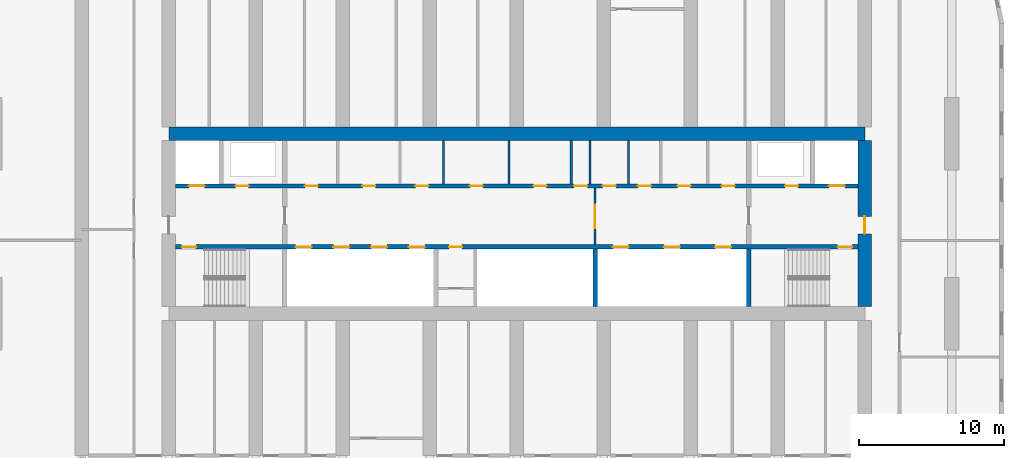
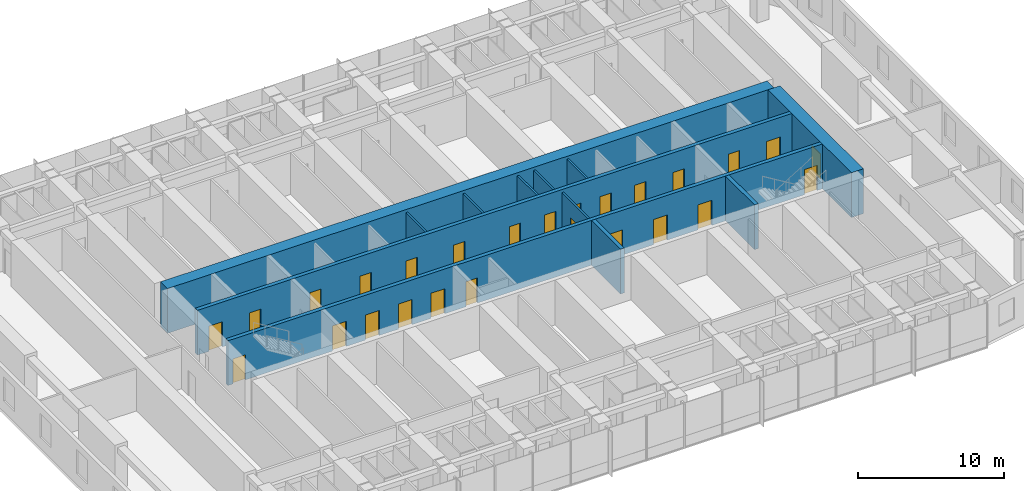
# One storey, part 12 of 22: 26 doors, 12 walls, 26 openings.
"""IFC4 building model written with IfcOpenShell, lengths in metres."""

from ifc_helpers import new_model, si_unit, direction, frame, frame_2d, origin, place, context, subcontext, project, spatial, rectangle, extrude, material, layer, layer_set, type_object, element, fill, save


model = new_model("IFC4")

# Units and contexts
model_context = context("Model", 3, precision=1e-05, world=origin(), true_north=direction((0.0, 1.0)))
body_context = subcontext(model_context, "Body", "Model", "MODEL_VIEW")
ifc_project = project(units=[si_unit("LENGTHUNIT", "METRE"), si_unit("AREAUNIT", "SQUARE_METRE"), si_unit("VOLUMEUNIT", "CUBIC_METRE"), si_unit("PLANEANGLEUNIT", "RADIAN"), si_unit("MASSUNIT", "GRAM", prefix="KILO")], contexts=[model_context])

# Site, building, storey
site_placement = place(None, origin())
site = spatial("IfcSite", under=ifc_project, at=site_placement, CompositionType="ELEMENT")
building_placement = place(site_placement, origin())
building = spatial("IfcBuilding", under=site, at=building_placement, Name="Orbita Commons", CompositionType="ELEMENT")
storey_placement = place(building_placement, frame((0.0, 0.0, 121.89990234375)))
storey = spatial("IfcBuildingStorey", under=building, at=storey_placement, Name="L30", CompositionType="ELEMENT", Elevation=121.89990234375)

# Wall, openings, doors
ifc_material_1 = material(Name="Concrete C50/60", Category="concrete")
ifc_layer_1 = layer(ifc_material_1, 0.300048828125)
ifc_layer_set_1 = layer_set([ifc_layer_1], Name="Concrete C50/60")
wall_type_1 = type_object("IfcWallType", Name="Core inner wall 300 C50/60", PredefinedType="SHEAR", material=ifc_layer_set_1)
wall_1_placement = place(storey_placement, frame((18.47509765625, 30.39990234375, 0.0), z_axis=(0.0, 0.0, 1.0), x_axis=(1.0, 0.0, 0.0)))
wall_1 = element("IfcWall", 1, at=wall_1_placement, inside=storey, type_object=wall_type_1, Name="Lobby wall south L30", PredefinedType="SHEAR", context=body_context, shape_type="SweptSolid", body=[
    extrude(rectangle(XDim=47.0498046875, YDim=0.300048828125, at=frame_2d((23.52490234375, 0.0))), origin(), (0.0, 0.0, 1.0), 3.75),
])
opening_1_placement = place(wall_1_placement, frame((0.39990234375, 0.0, 0.0)))
opening_1 = element("IfcOpeningElement", 2, at=opening_1_placement, cuts=wall_1, Name="Opening D02", PredefinedType="OPENING", context=body_context, shape_type="SweptSolid", body=[
    extrude(rectangle(XDim=1.0, YDim=2.10009765625, at=frame_2d((0.5, 1.050048828125))), frame((0.0, 0.159912109375, 0.0), z_axis=(0.0, -1.0, 0.0), x_axis=(1.0, 0.0, 0.0)), (0.0, 0.0, 1.0), 0.320068359375),
])
opening_2_placement = place(wall_1_placement, frame((45.64990234375, 0.0, 0.0)))
opening_2 = element("IfcOpeningElement", 3, at=opening_2_placement, cuts=wall_1, Name="Opening D02", PredefinedType="OPENING", context=body_context, shape_type="SweptSolid", body=[
    extrude(rectangle(XDim=1.0, YDim=2.10009765625, at=frame_2d((0.5, 1.050048828125))), frame((0.0, 0.159912109375, 0.0), z_axis=(0.0, -1.0, 0.0), x_axis=(1.0, 0.0, 0.0)), (0.0, 0.0, 1.0), 0.320068359375),
])
opening_3_placement = place(wall_1_placement, frame((8.27490234375, 0.0, 0.0)))
opening_3 = element("IfcOpeningElement", 4, at=opening_3_placement, cuts=wall_1, Name="Opening LD02", PredefinedType="OPENING", context=body_context, shape_type="SweptSolid", body=[
    extrude(rectangle(XDim=1.10009765625, YDim=2.10009765625, at=frame_2d((0.550048828125, 1.050048828125))), frame((0.0, 0.159912109375, 0.0), z_axis=(0.0, -1.0, 0.0), x_axis=(1.0, 0.0, 0.0)), (0.0, 0.0, 1.0), 0.320068359375),
])
opening_4_placement = place(wall_1_placement, frame((10.875, 0.0, 0.0)))
opening_4 = element("IfcOpeningElement", 5, at=opening_4_placement, cuts=wall_1, Name="Opening LD02", PredefinedType="OPENING", context=body_context, shape_type="SweptSolid", body=[
    extrude(rectangle(XDim=1.10009765625, YDim=2.10009765625, at=frame_2d((0.550048828125, 1.050048828125))), frame((0.0, 0.159912109375, 0.0), z_axis=(0.0, -1.0, 0.0), x_axis=(1.0, 0.0, 0.0)), (0.0, 0.0, 1.0), 0.320068359375),
])
opening_5_placement = place(wall_1_placement, frame((13.47509765625, 0.0, 0.0)))
opening_5 = element("IfcOpeningElement", 6, at=opening_5_placement, cuts=wall_1, Name="Opening LD02", PredefinedType="OPENING", context=body_context, shape_type="SweptSolid", body=[
    extrude(rectangle(XDim=1.10009765625, YDim=2.10009765625, at=frame_2d((0.550048828125, 1.050048828125))), frame((0.0, 0.159912109375, 0.0), z_axis=(0.0, -1.0, 0.0), x_axis=(1.0, 0.0, 0.0)), (0.0, 0.0, 1.0), 0.320068359375),
])
opening_6_placement = place(wall_1_placement, frame((16.074951171875, 0.0, 0.0)))
opening_6 = element("IfcOpeningElement", 7, at=opening_6_placement, cuts=wall_1, Name="Opening LD02", PredefinedType="OPENING", context=body_context, shape_type="SweptSolid", body=[
    extrude(rectangle(XDim=1.10009765625, YDim=2.10009765625, at=frame_2d((0.550048828125, 1.050048828125))), frame((0.0, 0.159912109375, 0.0), z_axis=(0.0, -1.0, 0.0), x_axis=(1.0, 0.0, 0.0)), (0.0, 0.0, 1.0), 0.320068359375),
])
opening_7_placement = place(wall_1_placement, frame((18.85009765625, 0.0, 0.0)))
opening_7 = element("IfcOpeningElement", 8, at=opening_7_placement, cuts=wall_1, Name="Opening D05", PredefinedType="OPENING", context=body_context, shape_type="SweptSolid", body=[
    extrude(rectangle(XDim=0.89990234375, YDim=2.10009765625, at=frame_2d((0.449951171875, 1.050048828125))), frame((0.0, 0.159912109375, 0.0), z_axis=(0.0, -1.0, 0.0), x_axis=(1.0, 0.0, 0.0)), (0.0, 0.0, 1.0), 0.320068359375),
])
opening_8_placement = place(wall_1_placement, frame((30.1416015625, 0.0, 0.0)))
opening_8 = element("IfcOpeningElement", 9, at=opening_8_placement, cuts=wall_1, Name="Opening LD02", PredefinedType="OPENING", context=body_context, shape_type="SweptSolid", body=[
    extrude(rectangle(XDim=1.10009765625, YDim=2.10009765625, at=frame_2d((0.550048828125, 1.050048828125))), frame((0.0, 0.159912109375, 0.0), z_axis=(0.0, -1.0, 0.0), x_axis=(1.0, 0.0, 0.0)), (0.0, 0.0, 1.0), 0.320068359375),
])
opening_9_placement = place(wall_1_placement, frame((33.675048828125, 0.0, 0.0)))
opening_9 = element("IfcOpeningElement", 10, at=opening_9_placement, cuts=wall_1, Name="Opening LD02", PredefinedType="OPENING", context=body_context, shape_type="SweptSolid", body=[
    extrude(rectangle(XDim=1.10009765625, YDim=2.10009765625, at=frame_2d((0.550048828125, 1.050048828125))), frame((0.0, 0.159912109375, 0.0), z_axis=(0.0, -1.0, 0.0), x_axis=(1.0, 0.0, 0.0)), (0.0, 0.0, 1.0), 0.320068359375),
])
opening_10_placement = place(wall_1_placement, frame((37.208251953125, 0.0, 0.0)))
opening_10 = element("IfcOpeningElement", 11, at=opening_10_placement, cuts=wall_1, Name="Opening LD02", PredefinedType="OPENING", context=body_context, shape_type="SweptSolid", body=[
    extrude(rectangle(XDim=1.10009765625, YDim=2.10009765625, at=frame_2d((0.550048828125, 1.050048828125))), frame((0.0, 0.159912109375, 0.0), z_axis=(0.0, -1.0, 0.0), x_axis=(1.0, 0.0, 0.0)), (0.0, 0.0, 1.0), 0.320068359375),
])
ifc_material_2 = material(Name="Steel-faced fire door leaf", Category="steel")
door_type_1 = type_object("IfcDoorType", Name="Fire door 90 min 1000x2100", OperationType="SINGLE_SWING_LEFT", PredefinedType="DOOR", material=ifc_material_2)
door_1_placement = place(opening_1_placement, origin())
door_1 = element("IfcDoor", 12, at=door_1_placement, inside=storey, type_object=door_type_1, Name="Stair S1 door", OperationType="SINGLE_SWING_LEFT", OverallHeight=2.10009765625, OverallWidth=1.0, PredefinedType="DOOR", context=body_context, shape_type="SweptSolid", body=[
    extrude(rectangle(XDim=1.0, YDim=2.10009765625, at=frame_2d((0.5, 1.050048828125))), frame((0.0, 0.02490234375, 0.0), z_axis=(0.0, -1.0, 0.0), x_axis=(1.0, 0.0, 0.0)), (0.0, 0.0, 1.0), 0.050048828125),
])
fill(opening_1, door_1)
door_2_placement = place(opening_2_placement, origin())
door_2 = element("IfcDoor", 13, at=door_2_placement, inside=storey, type_object=door_type_1, Name="Stair S2 door", OperationType="SINGLE_SWING_LEFT", OverallHeight=2.10009765625, OverallWidth=1.0, PredefinedType="DOOR", context=body_context, shape_type="SweptSolid", body=[
    extrude(rectangle(XDim=1.0, YDim=2.10009765625, at=frame_2d((0.5, 1.050048828125))), frame((0.0, 0.02490234375, 0.0), z_axis=(0.0, -1.0, 0.0), x_axis=(1.0, 0.0, 0.0)), (0.0, 0.0, 1.0), 0.050048828125),
])
fill(opening_2, door_2)
ifc_material_3 = material(Name="Steel-faced fire door leaf", Category="steel")
door_type_2 = type_object("IfcDoorType", Name="Lift landing door 1100x2100", OperationType="DOUBLE_DOOR_SLIDING", PredefinedType="DOOR", material=ifc_material_3)
door_3_placement = place(opening_3_placement, origin())
door_3 = element("IfcDoor", 14, at=door_3_placement, inside=storey, type_object=door_type_2, Name="Lift P21 landing door", OperationType="DOUBLE_DOOR_SLIDING", OverallHeight=2.10009765625, OverallWidth=1.10009765625, PredefinedType="DOOR", context=body_context, shape_type="SweptSolid", body=[
    extrude(rectangle(XDim=1.10009765625, YDim=2.10009765625, at=frame_2d((0.550048828125, 1.050048828125))), frame((0.0, 0.02490234375, 0.0), z_axis=(0.0, -1.0, 0.0), x_axis=(1.0, 0.0, 0.0)), (0.0, 0.0, 1.0), 0.050048828125),
])
fill(opening_3, door_3)
door_4_placement = place(opening_4_placement, origin())
door_4 = element("IfcDoor", 15, at=door_4_placement, inside=storey, type_object=door_type_2, Name="Lift P22 landing door", OperationType="DOUBLE_DOOR_SLIDING", OverallHeight=2.10009765625, OverallWidth=1.10009765625, PredefinedType="DOOR", context=body_context, shape_type="SweptSolid", body=[
    extrude(rectangle(XDim=1.10009765625, YDim=2.10009765625, at=frame_2d((0.550048828125, 1.050048828125))), frame((0.0, 0.02490234375, 0.0), z_axis=(0.0, -1.0, 0.0), x_axis=(1.0, 0.0, 0.0)), (0.0, 0.0, 1.0), 0.050048828125),
])
fill(opening_4, door_4)
door_5_placement = place(opening_5_placement, origin())
door_5 = element("IfcDoor", 16, at=door_5_placement, inside=storey, type_object=door_type_2, Name="Lift P23 landing door", OperationType="DOUBLE_DOOR_SLIDING", OverallHeight=2.10009765625, OverallWidth=1.10009765625, PredefinedType="DOOR", context=body_context, shape_type="SweptSolid", body=[
    extrude(rectangle(XDim=1.10009765625, YDim=2.10009765625, at=frame_2d((0.550048828125, 1.050048828125))), frame((0.0, 0.02490234375, 0.0), z_axis=(0.0, -1.0, 0.0), x_axis=(1.0, 0.0, 0.0)), (0.0, 0.0, 1.0), 0.050048828125),
])
fill(opening_5, door_5)
door_6_placement = place(opening_6_placement, origin())
door_6 = element("IfcDoor", 17, at=door_6_placement, inside=storey, type_object=door_type_2, Name="Lift P24 landing door", OperationType="DOUBLE_DOOR_SLIDING", OverallHeight=2.10009765625, OverallWidth=1.10009765625, PredefinedType="DOOR", context=body_context, shape_type="SweptSolid", body=[
    extrude(rectangle(XDim=1.10009765625, YDim=2.10009765625, at=frame_2d((0.550048828125, 1.050048828125))), frame((0.0, 0.02490234375, 0.0), z_axis=(0.0, -1.0, 0.0), x_axis=(1.0, 0.0, 0.0)), (0.0, 0.0, 1.0), 0.050048828125),
])
fill(opening_6, door_6)
door_7_placement = place(opening_8_placement, origin())
door_7 = element("IfcDoor", 18, at=door_7_placement, inside=storey, type_object=door_type_2, Name="Lift SV1 landing door", OperationType="DOUBLE_DOOR_SLIDING", OverallHeight=2.10009765625, OverallWidth=1.10009765625, PredefinedType="DOOR", context=body_context, shape_type="SweptSolid", body=[
    extrude(rectangle(XDim=1.10009765625, YDim=2.10009765625, at=frame_2d((0.550048828125, 1.050048828125))), frame((0.0, 0.02490234375, 0.0), z_axis=(0.0, -1.0, 0.0), x_axis=(1.0, 0.0, 0.0)), (0.0, 0.0, 1.0), 0.050048828125),
])
fill(opening_8, door_7)
door_8_placement = place(opening_9_placement, origin())
door_8 = element("IfcDoor", 19, at=door_8_placement, inside=storey, type_object=door_type_2, Name="Lift SV2 landing door", OperationType="DOUBLE_DOOR_SLIDING", OverallHeight=2.10009765625, OverallWidth=1.10009765625, PredefinedType="DOOR", context=body_context, shape_type="SweptSolid", body=[
    extrude(rectangle(XDim=1.10009765625, YDim=2.10009765625, at=frame_2d((0.550048828125, 1.050048828125))), frame((0.0, 0.02490234375, 0.0), z_axis=(0.0, -1.0, 0.0), x_axis=(1.0, 0.0, 0.0)), (0.0, 0.0, 1.0), 0.050048828125),
])
fill(opening_9, door_8)
door_9_placement = place(opening_10_placement, origin())
door_9 = element("IfcDoor", 20, at=door_9_placement, inside=storey, type_object=door_type_2, Name="Lift SV3 landing door", OperationType="DOUBLE_DOOR_SLIDING", OverallHeight=2.10009765625, OverallWidth=1.10009765625, PredefinedType="DOOR", context=body_context, shape_type="SweptSolid", body=[
    extrude(rectangle(XDim=1.10009765625, YDim=2.10009765625, at=frame_2d((0.550048828125, 1.050048828125))), frame((0.0, 0.02490234375, 0.0), z_axis=(0.0, -1.0, 0.0), x_axis=(1.0, 0.0, 0.0)), (0.0, 0.0, 1.0), 0.050048828125),
])
fill(opening_10, door_9)
ifc_material_4 = material(Name="Steel-faced fire door leaf", Category="steel")
door_type_3 = type_object("IfcDoorType", Name="Service door 20 min 900x2100", OperationType="SINGLE_SWING_LEFT", PredefinedType="DOOR", material=ifc_material_4)
door_10_placement = place(opening_7_placement, origin())
door_10 = element("IfcDoor", 21, at=door_10_placement, inside=storey, type_object=door_type_3, Name="Residents' store door", OperationType="SINGLE_SWING_LEFT", OverallHeight=2.10009765625, OverallWidth=0.89990234375, PredefinedType="DOOR", context=body_context, shape_type="SweptSolid", body=[
    extrude(rectangle(XDim=0.89990234375, YDim=2.10009765625, at=frame_2d((0.449951171875, 1.050048828125))), frame((0.0, 0.02490234375, 0.0), z_axis=(0.0, -1.0, 0.0), x_axis=(1.0, 0.0, 0.0)), (0.0, 0.0, 1.0), 0.050048828125),
])
fill(opening_7, door_10)

wall_2_placement = place(storey_placement, frame((18.47509765625, 34.60009765625, 0.0), z_axis=(0.0, 0.0, 1.0), x_axis=(1.0, 0.0, 0.0)))
wall_2 = element("IfcWall", 22, at=wall_2_placement, inside=storey, type_object=wall_type_1, Name="Lobby wall north L30", PredefinedType="SHEAR", context=body_context, shape_type="SweptSolid", body=[
    extrude(rectangle(XDim=47.0498046875, YDim=0.300048828125, at=frame_2d((23.52490234375, 0.0))), origin(), (0.0, 0.0, 1.0), 3.75),
])
opening_11_placement = place(wall_2_placement, frame((0.89990234375, 0.0, 0.0)))
opening_11 = element("IfcOpeningElement", 23, at=opening_11_placement, cuts=wall_2, Name="Opening LD01", PredefinedType="OPENING", context=body_context, shape_type="SweptSolid", body=[
    extrude(rectangle(XDim=1.10009765625, YDim=2.10009765625, at=frame_2d((0.550048828125, 1.050048828125))), frame((0.0, 0.159912109375, 0.0), z_axis=(0.0, -1.0, 0.0), x_axis=(1.0, 0.0, 0.0)), (0.0, 0.0, 1.0), 0.320068359375),
])
opening_12_placement = place(wall_2_placement, frame((45.050048828125, 0.0, 0.0)))
opening_12 = element("IfcOpeningElement", 24, at=opening_12_placement, cuts=wall_2, Name="Opening LD01", PredefinedType="OPENING", context=body_context, shape_type="SweptSolid", body=[
    extrude(rectangle(XDim=1.10009765625, YDim=2.10009765625, at=frame_2d((0.550048828125, 1.050048828125))), frame((0.0, 0.159912109375, 0.0), z_axis=(0.0, -1.0, 0.0), x_axis=(1.0, 0.0, 0.0)), (0.0, 0.0, 1.0), 0.320068359375),
])
opening_13_placement = place(wall_2_placement, frame((4.125, 0.0, 0.0)))
opening_13 = element("IfcOpeningElement", 25, at=opening_13_placement, cuts=wall_2, Name="Opening D03", PredefinedType="OPENING", context=body_context, shape_type="SweptSolid", body=[
    extrude(rectangle(XDim=0.89990234375, YDim=2.10009765625, at=frame_2d((0.449951171875, 1.050048828125))), frame((0.0, 0.159912109375, 0.0), z_axis=(0.0, -1.0, 0.0), x_axis=(1.0, 0.0, 0.0)), (0.0, 0.0, 1.0), 0.320068359375),
])
opening_14_placement = place(wall_2_placement, frame((42.02490234375, 0.0, 0.0)))
opening_14 = element("IfcOpeningElement", 26, at=opening_14_placement, cuts=wall_2, Name="Opening D03", PredefinedType="OPENING", context=body_context, shape_type="SweptSolid", body=[
    extrude(rectangle(XDim=0.89990234375, YDim=2.10009765625, at=frame_2d((0.449951171875, 1.050048828125))), frame((0.0, 0.159912109375, 0.0), z_axis=(0.0, -1.0, 0.0), x_axis=(1.0, 0.0, 0.0)), (0.0, 0.0, 1.0), 0.320068359375),
])
opening_15_placement = place(wall_2_placement, frame((8.900390625, 0.0, 0.0)))
opening_15 = element("IfcOpeningElement", 27, at=opening_15_placement, cuts=wall_2, Name="Opening D03", PredefinedType="OPENING", context=body_context, shape_type="SweptSolid", body=[
    extrude(rectangle(XDim=0.89990234375, YDim=2.10009765625, at=frame_2d((0.449951171875, 1.050048828125))), frame((0.0, 0.159912109375, 0.0), z_axis=(0.0, -1.0, 0.0), x_axis=(1.0, 0.0, 0.0)), (0.0, 0.0, 1.0), 0.320068359375),
])
opening_16_placement = place(wall_2_placement, frame((12.873779296875, 0.0, 0.0)))
opening_16 = element("IfcOpeningElement", 28, at=opening_16_placement, cuts=wall_2, Name="Opening D03", PredefinedType="OPENING", context=body_context, shape_type="SweptSolid", body=[
    extrude(rectangle(XDim=0.89990234375, YDim=2.10009765625, at=frame_2d((0.449951171875, 1.050048828125))), frame((0.0, 0.159912109375, 0.0), z_axis=(0.0, -1.0, 0.0), x_axis=(1.0, 0.0, 0.0)), (0.0, 0.0, 1.0), 0.320068359375),
])
opening_17_placement = place(wall_2_placement, frame((16.521240234375, 0.0, 0.0)))
opening_17 = element("IfcOpeningElement", 29, at=opening_17_placement, cuts=wall_2, Name="Opening D03", PredefinedType="OPENING", context=body_context, shape_type="SweptSolid", body=[
    extrude(rectangle(XDim=0.89990234375, YDim=2.10009765625, at=frame_2d((0.449951171875, 1.050048828125))), frame((0.0, 0.159912109375, 0.0), z_axis=(0.0, -1.0, 0.0), x_axis=(1.0, 0.0, 0.0)), (0.0, 0.0, 1.0), 0.320068359375),
])
opening_18_placement = place(wall_2_placement, frame((20.27978515625, 0.0, 0.0)))
opening_18 = element("IfcOpeningElement", 30, at=opening_18_placement, cuts=wall_2, Name="Opening D03", PredefinedType="OPENING", context=body_context, shape_type="SweptSolid", body=[
    extrude(rectangle(XDim=0.89990234375, YDim=2.10009765625, at=frame_2d((0.449951171875, 1.050048828125))), frame((0.0, 0.159912109375, 0.0), z_axis=(0.0, -1.0, 0.0), x_axis=(1.0, 0.0, 0.0)), (0.0, 0.0, 1.0), 0.320068359375),
])
opening_19_placement = place(wall_2_placement, frame((24.685791015625, 0.0, 0.0)))
opening_19 = element("IfcOpeningElement", 31, at=opening_19_placement, cuts=wall_2, Name="Opening D03", PredefinedType="OPENING", context=body_context, shape_type="SweptSolid", body=[
    extrude(rectangle(XDim=0.89990234375, YDim=2.10009765625, at=frame_2d((0.449951171875, 1.050048828125))), frame((0.0, 0.159912109375, 0.0), z_axis=(0.0, -1.0, 0.0), x_axis=(1.0, 0.0, 0.0)), (0.0, 0.0, 1.0), 0.320068359375),
])
opening_20_placement = place(wall_2_placement, frame((27.4833984375, 0.0, 0.0)))
opening_20 = element("IfcOpeningElement", 32, at=opening_20_placement, cuts=wall_2, Name="Opening D03", PredefinedType="OPENING", context=body_context, shape_type="SweptSolid", body=[
    extrude(rectangle(XDim=0.89990234375, YDim=2.10009765625, at=frame_2d((0.449951171875, 1.050048828125))), frame((0.0, 0.159912109375, 0.0), z_axis=(0.0, -1.0, 0.0), x_axis=(1.0, 0.0, 0.0)), (0.0, 0.0, 1.0), 0.320068359375),
])
opening_21_placement = place(wall_2_placement, frame((29.450439453125, 0.0, 0.0)))
opening_21 = element("IfcOpeningElement", 33, at=opening_21_placement, cuts=wall_2, Name="Opening D05", PredefinedType="OPENING", context=body_context, shape_type="SweptSolid", body=[
    extrude(rectangle(XDim=0.89990234375, YDim=2.10009765625, at=frame_2d((0.449951171875, 1.050048828125))), frame((0.0, 0.159912109375, 0.0), z_axis=(0.0, -1.0, 0.0), x_axis=(1.0, 0.0, 0.0)), (0.0, 0.0, 1.0), 0.320068359375),
])
opening_22_placement = place(wall_2_placement, frame((31.8818359375, 0.0, 0.0)))
opening_22 = element("IfcOpeningElement", 34, at=opening_22_placement, cuts=wall_2, Name="Opening D05", PredefinedType="OPENING", context=body_context, shape_type="SweptSolid", body=[
    extrude(rectangle(XDim=0.89990234375, YDim=2.10009765625, at=frame_2d((0.449951171875, 1.050048828125))), frame((0.0, 0.159912109375, 0.0), z_axis=(0.0, -1.0, 0.0), x_axis=(1.0, 0.0, 0.0)), (0.0, 0.0, 1.0), 0.320068359375),
])
opening_23_placement = place(wall_2_placement, frame((34.6171875, 0.0, 0.0)))
opening_23 = element("IfcOpeningElement", 35, at=opening_23_placement, cuts=wall_2, Name="Opening D05", PredefinedType="OPENING", context=body_context, shape_type="SweptSolid", body=[
    extrude(rectangle(XDim=0.89990234375, YDim=2.10009765625, at=frame_2d((0.449951171875, 1.050048828125))), frame((0.0, 0.159912109375, 0.0), z_axis=(0.0, -1.0, 0.0), x_axis=(1.0, 0.0, 0.0)), (0.0, 0.0, 1.0), 0.320068359375),
])
opening_24_placement = place(wall_2_placement, frame((37.656494140625, 0.0, 0.0)))
opening_24 = element("IfcOpeningElement", 36, at=opening_24_placement, cuts=wall_2, Name="Opening D03", PredefinedType="OPENING", context=body_context, shape_type="SweptSolid", body=[
    extrude(rectangle(XDim=0.89990234375, YDim=2.10009765625, at=frame_2d((0.449951171875, 1.050048828125))), frame((0.0, 0.159912109375, 0.0), z_axis=(0.0, -1.0, 0.0), x_axis=(1.0, 0.0, 0.0)), (0.0, 0.0, 1.0), 0.320068359375),
])
ifc_material_5 = material(Name="Steel-faced fire door leaf", Category="steel")
door_type_4 = type_object("IfcDoorType", Name="Firefighting lift landing door 1100x2100", OperationType="DOUBLE_DOOR_SLIDING", PredefinedType="DOOR", material=ifc_material_5)
door_11_placement = place(opening_11_placement, origin())
door_11 = element("IfcDoor", 37, at=door_11_placement, inside=storey, type_object=door_type_4, Name="Firefighting lift FL1 landing door", OperationType="DOUBLE_DOOR_SLIDING", OverallHeight=2.10009765625, OverallWidth=1.10009765625, PredefinedType="DOOR", context=body_context, shape_type="SweptSolid", body=[
    extrude(rectangle(XDim=1.10009765625, YDim=2.10009765625, at=frame_2d((0.550048828125, 1.050048828125))), frame((0.0, 0.02490234375, 0.0), z_axis=(0.0, -1.0, 0.0), x_axis=(1.0, 0.0, 0.0)), (0.0, 0.0, 1.0), 0.050048828125),
])
fill(opening_11, door_11)
door_12_placement = place(opening_12_placement, origin())
door_12 = element("IfcDoor", 38, at=door_12_placement, inside=storey, type_object=door_type_4, Name="Firefighting lift FL2 landing door", OperationType="DOUBLE_DOOR_SLIDING", OverallHeight=2.10009765625, OverallWidth=1.10009765625, PredefinedType="DOOR", context=body_context, shape_type="SweptSolid", body=[
    extrude(rectangle(XDim=1.10009765625, YDim=2.10009765625, at=frame_2d((0.550048828125, 1.050048828125))), frame((0.0, 0.02490234375, 0.0), z_axis=(0.0, -1.0, 0.0), x_axis=(1.0, 0.0, 0.0)), (0.0, 0.0, 1.0), 0.050048828125),
])
fill(opening_12, door_12)
door_13_placement = place(opening_21_placement, origin())
door_13 = element("IfcDoor", 39, at=door_13_placement, inside=storey, type_object=door_type_3, Name="Accessible WC door", OperationType="SINGLE_SWING_LEFT", OverallHeight=2.10009765625, OverallWidth=0.89990234375, PredefinedType="DOOR", context=body_context, shape_type="SweptSolid", body=[
    extrude(rectangle(XDim=0.89990234375, YDim=2.10009765625, at=frame_2d((0.449951171875, 1.050048828125))), frame((0.0, 0.02490234375, 0.0), z_axis=(0.0, -1.0, 0.0), x_axis=(1.0, 0.0, 0.0)), (0.0, 0.0, 1.0), 0.050048828125),
])
fill(opening_21, door_13)
door_14_placement = place(opening_22_placement, origin())
door_14 = element("IfcDoor", 40, at=door_14_placement, inside=storey, type_object=door_type_3, Name="Staff WC door", OperationType="SINGLE_SWING_LEFT", OverallHeight=2.10009765625, OverallWidth=0.89990234375, PredefinedType="DOOR", context=body_context, shape_type="SweptSolid", body=[
    extrude(rectangle(XDim=0.89990234375, YDim=2.10009765625, at=frame_2d((0.449951171875, 1.050048828125))), frame((0.0, 0.02490234375, 0.0), z_axis=(0.0, -1.0, 0.0), x_axis=(1.0, 0.0, 0.0)), (0.0, 0.0, 1.0), 0.050048828125),
])
fill(opening_22, door_14)
door_15_placement = place(opening_23_placement, origin())
door_15 = element("IfcDoor", 41, at=door_15_placement, inside=storey, type_object=door_type_3, Name="Guest pantry door", OperationType="SINGLE_SWING_LEFT", OverallHeight=2.10009765625, OverallWidth=0.89990234375, PredefinedType="DOOR", context=body_context, shape_type="SweptSolid", body=[
    extrude(rectangle(XDim=0.89990234375, YDim=2.10009765625, at=frame_2d((0.449951171875, 1.050048828125))), frame((0.0, 0.02490234375, 0.0), z_axis=(0.0, -1.0, 0.0), x_axis=(1.0, 0.0, 0.0)), (0.0, 0.0, 1.0), 0.050048828125),
])
fill(opening_23, door_15)
ifc_material_6 = material(Name="Steel-faced fire door leaf", Category="steel")
door_type_5 = type_object("IfcDoorType", Name="Shaft access door 90 min 900x2100", OperationType="SINGLE_SWING_LEFT", PredefinedType="DOOR", material=ifc_material_6)
door_16_placement = place(opening_13_placement, origin())
door_16 = element("IfcDoor", 42, at=door_16_placement, inside=storey, type_object=door_type_5, Name="Riser door west", OperationType="SINGLE_SWING_LEFT", OverallHeight=2.10009765625, OverallWidth=0.89990234375, PredefinedType="DOOR", context=body_context, shape_type="SweptSolid", body=[
    extrude(rectangle(XDim=0.89990234375, YDim=2.10009765625, at=frame_2d((0.449951171875, 1.050048828125))), frame((0.0, 0.02490234375, 0.0), z_axis=(0.0, -1.0, 0.0), x_axis=(1.0, 0.0, 0.0)), (0.0, 0.0, 1.0), 0.050048828125),
])
fill(opening_13, door_16)
door_17_placement = place(opening_14_placement, origin())
door_17 = element("IfcDoor", 43, at=door_17_placement, inside=storey, type_object=door_type_5, Name="Riser door east", OperationType="SINGLE_SWING_LEFT", OverallHeight=2.10009765625, OverallWidth=0.89990234375, PredefinedType="DOOR", context=body_context, shape_type="SweptSolid", body=[
    extrude(rectangle(XDim=0.89990234375, YDim=2.10009765625, at=frame_2d((0.449951171875, 1.050048828125))), frame((0.0, 0.02490234375, 0.0), z_axis=(0.0, -1.0, 0.0), x_axis=(1.0, 0.0, 0.0)), (0.0, 0.0, 1.0), 0.050048828125),
])
fill(opening_14, door_17)
door_18_placement = place(opening_15_placement, origin())
door_18 = element("IfcDoor", 44, at=door_18_placement, inside=storey, type_object=door_type_5, Name="Cleaners store door", OperationType="SINGLE_SWING_LEFT", OverallHeight=2.10009765625, OverallWidth=0.89990234375, PredefinedType="DOOR", context=body_context, shape_type="SweptSolid", body=[
    extrude(rectangle(XDim=0.89990234375, YDim=2.10009765625, at=frame_2d((0.449951171875, 1.050048828125))), frame((0.0, 0.02490234375, 0.0), z_axis=(0.0, -1.0, 0.0), x_axis=(1.0, 0.0, 0.0)), (0.0, 0.0, 1.0), 0.050048828125),
])
fill(opening_15, door_18)
door_19_placement = place(opening_16_placement, origin())
door_19 = element("IfcDoor", 45, at=door_19_placement, inside=storey, type_object=door_type_5, Name="Refuse chute room door", OperationType="SINGLE_SWING_LEFT", OverallHeight=2.10009765625, OverallWidth=0.89990234375, PredefinedType="DOOR", context=body_context, shape_type="SweptSolid", body=[
    extrude(rectangle(XDim=0.89990234375, YDim=2.10009765625, at=frame_2d((0.449951171875, 1.050048828125))), frame((0.0, 0.02490234375, 0.0), z_axis=(0.0, -1.0, 0.0), x_axis=(1.0, 0.0, 0.0)), (0.0, 0.0, 1.0), 0.050048828125),
])
fill(opening_16, door_19)
door_20_placement = place(opening_17_placement, origin())
door_20 = element("IfcDoor", 46, at=door_20_placement, inside=storey, type_object=door_type_5, Name="Electrical riser room door", OperationType="SINGLE_SWING_LEFT", OverallHeight=2.10009765625, OverallWidth=0.89990234375, PredefinedType="DOOR", context=body_context, shape_type="SweptSolid", body=[
    extrude(rectangle(XDim=0.89990234375, YDim=2.10009765625, at=frame_2d((0.449951171875, 1.050048828125))), frame((0.0, 0.02490234375, 0.0), z_axis=(0.0, -1.0, 0.0), x_axis=(1.0, 0.0, 0.0)), (0.0, 0.0, 1.0), 0.050048828125),
])
fill(opening_17, door_20)
door_21_placement = place(opening_18_placement, origin())
door_21 = element("IfcDoor", 47, at=door_21_placement, inside=storey, type_object=door_type_5, Name="IT room door", OperationType="SINGLE_SWING_LEFT", OverallHeight=2.10009765625, OverallWidth=0.89990234375, PredefinedType="DOOR", context=body_context, shape_type="SweptSolid", body=[
    extrude(rectangle(XDim=0.89990234375, YDim=2.10009765625, at=frame_2d((0.449951171875, 1.050048828125))), frame((0.0, 0.02490234375, 0.0), z_axis=(0.0, -1.0, 0.0), x_axis=(1.0, 0.0, 0.0)), (0.0, 0.0, 1.0), 0.050048828125),
])
fill(opening_18, door_21)
door_22_placement = place(opening_19_placement, origin())
door_22 = element("IfcDoor", 48, at=door_22_placement, inside=storey, type_object=door_type_5, Name="Communications room door", OperationType="SINGLE_SWING_LEFT", OverallHeight=2.10009765625, OverallWidth=0.89990234375, PredefinedType="DOOR", context=body_context, shape_type="SweptSolid", body=[
    extrude(rectangle(XDim=0.89990234375, YDim=2.10009765625, at=frame_2d((0.449951171875, 1.050048828125))), frame((0.0, 0.02490234375, 0.0), z_axis=(0.0, -1.0, 0.0), x_axis=(1.0, 0.0, 0.0)), (0.0, 0.0, 1.0), 0.050048828125),
])
fill(opening_19, door_22)
door_23_placement = place(opening_20_placement, origin())
door_23 = element("IfcDoor", 49, at=door_23_placement, inside=storey, type_object=door_type_5, Name="Stair pressurisation duct door", OperationType="SINGLE_SWING_LEFT", OverallHeight=2.10009765625, OverallWidth=0.89990234375, PredefinedType="DOOR", context=body_context, shape_type="SweptSolid", body=[
    extrude(rectangle(XDim=0.89990234375, YDim=2.10009765625, at=frame_2d((0.449951171875, 1.050048828125))), frame((0.0, 0.02490234375, 0.0), z_axis=(0.0, -1.0, 0.0), x_axis=(1.0, 0.0, 0.0)), (0.0, 0.0, 1.0), 0.050048828125),
])
fill(opening_20, door_23)
door_24_placement = place(opening_24_placement, origin())
door_24 = element("IfcDoor", 50, at=door_24_placement, inside=storey, type_object=door_type_5, Name="Linen store door", OperationType="SINGLE_SWING_LEFT", OverallHeight=2.10009765625, OverallWidth=0.89990234375, PredefinedType="DOOR", context=body_context, shape_type="SweptSolid", body=[
    extrude(rectangle(XDim=0.89990234375, YDim=2.10009765625, at=frame_2d((0.449951171875, 1.050048828125))), frame((0.0, 0.02490234375, 0.0), z_axis=(0.0, -1.0, 0.0), x_axis=(1.0, 0.0, 0.0)), (0.0, 0.0, 1.0), 0.050048828125),
])
fill(opening_24, door_24)

# Walls
for number, where, z_axis, x_axis, name in (
    (51, (58.0, 26.27490234375, 0.0), (0.0, 0.0, 1.0), (0.0, 1.0, 0.0), "Stair S2 wall L30"),
    (52, (47.39990234375, 26.27490234375, 0.0), (0.0, 0.0, 1.0), (0.0, 1.0, 0.0), "Hoistway division wall L30"),
):
    element("IfcWall", number, at=place(storey_placement, frame(where, z_axis=z_axis, x_axis=x_axis)), inside=storey, type_object=wall_type_1, Name=name, PredefinedType="SHEAR", context=body_context, shape_type="SweptSolid", body=[
        extrude(rectangle(XDim=3.97509765625, YDim=0.300048828125, at=frame_2d((1.987548828125, 0.0))), origin(), (0.0, 0.0, 1.0), 3.75),
    ])

# Wall, opening, door
ifc_material_7 = material(Name="Concrete blockwork", Category="masonry")
ifc_layer_2 = layer(ifc_material_7, 0.14990234375)
ifc_layer_set_2 = layer_set([ifc_layer_2], Name="Concrete blockwork")
wall_type_2 = type_object("IfcWallType", Name="Core partition 150 blockwork", PredefinedType="SOLIDWALL", material=ifc_layer_set_2)
wall_3_placement = place(storey_placement, frame((47.39990234375, 30.550048828125, 0.0), z_axis=(0.0, 0.0, 1.0), x_axis=(0.0, 1.0, 0.0)))
wall_3 = element("IfcWall", 53, at=wall_3_placement, inside=storey, type_object=wall_type_2, Name="Core partition 150 blockwork L30", PredefinedType="SOLIDWALL", context=body_context, shape_type="SweptSolid", body=[
    extrude(rectangle(XDim=3.89990234375, YDim=0.14990234375, at=frame_2d((1.949951171875, 0.0))), origin(), (0.0, 0.0, 1.0), 3.5),
])
opening_25_placement = place(wall_3_placement, frame((1.14990234375, 0.0, 0.0)))
opening_25 = element("IfcOpeningElement", 54, at=opening_25_placement, cuts=wall_3, Name="Opening D10", PredefinedType="OPENING", context=body_context, shape_type="SweptSolid", body=[
    extrude(rectangle(XDim=1.60009765625, YDim=2.10009765625, at=frame_2d((0.800048828125, 1.050048828125))), frame((0.0, 0.0849609375, 0.0), z_axis=(0.0, -1.0, 0.0), x_axis=(1.0, 0.0, 0.0)), (0.0, 0.0, 1.0), 0.169921875),
])
ifc_material_8 = material(Name="Steel-faced fire door leaf", Category="steel")
door_type_6 = type_object("IfcDoorType", Name="Double corridor door 20 min 1600x2100", OperationType="DOUBLE_DOOR_SINGLE_SWING", PredefinedType="DOOR", material=ifc_material_8)
door_25_placement = place(opening_25_placement, origin())
door_25 = element("IfcDoor", 55, at=door_25_placement, inside=storey, type_object=door_type_6, Name="Lift lobby screen doors", OperationType="DOUBLE_DOOR_SINGLE_SWING", OverallHeight=2.10009765625, OverallWidth=1.60009765625, PredefinedType="DOOR", context=body_context, shape_type="SweptSolid", body=[
    extrude(rectangle(XDim=1.60009765625, YDim=2.10009765625, at=frame_2d((0.800048828125, 1.050048828125))), frame((0.0, 0.02490234375, 0.0), z_axis=(0.0, -1.0, 0.0), x_axis=(1.0, 0.0, 0.0)), (0.0, 0.0, 1.0), 0.050048828125),
])
fill(opening_25, door_25)

# Walls
for number, where, z_axis, x_axis, name in (
    (56, (36.9462890625, 34.75, 0.0), (0.0, 0.0, 1.0), (0.0, 1.0, 0.0), "Core partition 150 blockwork L30"),
    (57, (41.463134765625, 34.75, 0.0), (0.0, 0.0, 1.0), (0.0, 1.0, 0.0), "Core partition 150 blockwork L30"),
    (58, (45.75830078125, 34.75, 0.0), (0.0, 0.0, 1.0), (0.0, 1.0, 0.0), "Core partition 150 blockwork L30"),
    (59, (47.058349609375, 34.75, 0.0), (0.0, 0.0, 1.0), (0.0, 1.0, 0.0), "Core partition 150 blockwork L30"),
    (60, (49.6923828125, 34.75, 0.0), (0.0, 0.0, 1.0), (0.0, 1.0, 0.0), "Core partition 150 blockwork L30"),
):
    element("IfcWall", number, at=place(storey_placement, frame(where, z_axis=z_axis, x_axis=x_axis)), inside=storey, type_object=wall_type_2, Name=name, PredefinedType="SOLIDWALL", context=body_context, shape_type="SweptSolid", body=[
        extrude(rectangle(XDim=2.97509765625, YDim=0.14990234375, at=frame_2d((1.487548828125, 0.0))), origin(), (0.0, 0.0, 1.0), 3.5),
    ])
ifc_material_9 = material(Name="Concrete C50/60", Category="concrete")
ifc_layer_3 = layer(ifc_material_9, 0.949951171875)
ifc_layer_set_3 = layer_set([ifc_layer_3], Name="Concrete C50/60")
wall_type_3 = type_object("IfcWallType", Name="Core wall 950 C50/60", PredefinedType="SHEAR", material=ifc_layer_set_3)
wall_4_placement = place(storey_placement, frame((18.0, 38.199951171875, 0.0), z_axis=(0.0, 0.0, 1.0), x_axis=(1.0, 0.0, 0.0)))
element("IfcWall", 61, at=wall_4_placement, inside=storey, type_object=wall_type_3, Name="Core spine wall north L30", PredefinedType="SHEAR", context=body_context, shape_type="SweptSolid", body=[
    extrude(rectangle(XDim=48.0, YDim=0.949951171875, at=frame_2d((24.0, 0.0))), origin(), (0.0, 0.0, 1.0), 3.75),
])

# Wall, opening, door
wall_5_placement = place(storey_placement, frame((66.0, 26.27490234375, 0.0), z_axis=(0.0, 0.0, 1.0), x_axis=(0.0, 1.0, 0.0)))
wall_5 = element("IfcWall", 62, at=wall_5_placement, inside=storey, type_object=wall_type_3, Name="Core end wall east L30", PredefinedType="SHEAR", context=body_context, shape_type="SweptSolid", body=[
    extrude(rectangle(XDim=11.4501953125, YDim=0.949951171875, at=frame_2d((5.72509765625, 0.0))), origin(), (0.0, 0.0, 1.0), 3.75),
])
opening_26_placement = place(wall_5_placement, frame((5.02490234375, 0.0, 0.0)))
opening_26 = element("IfcOpeningElement", 63, at=opening_26_placement, cuts=wall_5, Name="Opening D01", PredefinedType="OPENING", context=body_context, shape_type="SweptSolid", body=[
    extrude(rectangle(XDim=1.199951171875, YDim=2.10009765625, at=frame_2d((0.60009765625, 1.050048828125))), frame((0.0, 0.48486328125, 0.0), z_axis=(0.0, -1.0, 0.0), x_axis=(1.0, 0.0, 0.0)), (0.0, 0.0, 1.0), 0.969970703125),
])
ifc_material_10 = material(Name="Steel-faced fire door leaf", Category="steel")
door_type_7 = type_object("IfcDoorType", Name="Fire door 90 min 1200x2100", OperationType="SINGLE_SWING_LEFT", PredefinedType="DOOR", material=ifc_material_10)
door_26_placement = place(opening_26_placement, origin())
door_26 = element("IfcDoor", 64, at=door_26_placement, inside=storey, type_object=door_type_7, Name="Firefighting lobby east door", OperationType="SINGLE_SWING_LEFT", OverallHeight=2.10009765625, OverallWidth=1.199951171875, PredefinedType="DOOR", context=body_context, shape_type="SweptSolid", body=[
    extrude(rectangle(XDim=1.199951171875, YDim=2.10009765625, at=frame_2d((0.60009765625, 1.050048828125))), frame((0.0, 0.02490234375, 0.0), z_axis=(0.0, -1.0, 0.0), x_axis=(1.0, 0.0, 0.0)), (0.0, 0.0, 1.0), 0.050048828125),
])
fill(opening_26, door_26)

save(model, "model.ifc")
